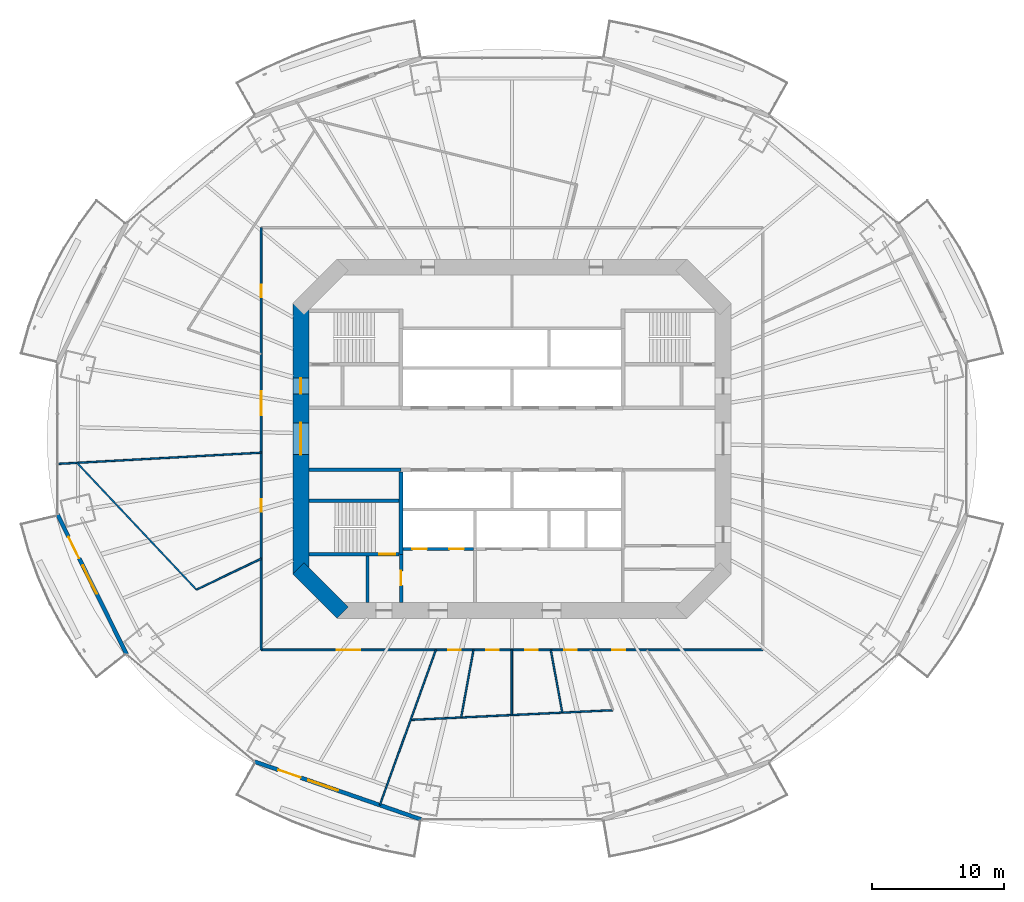
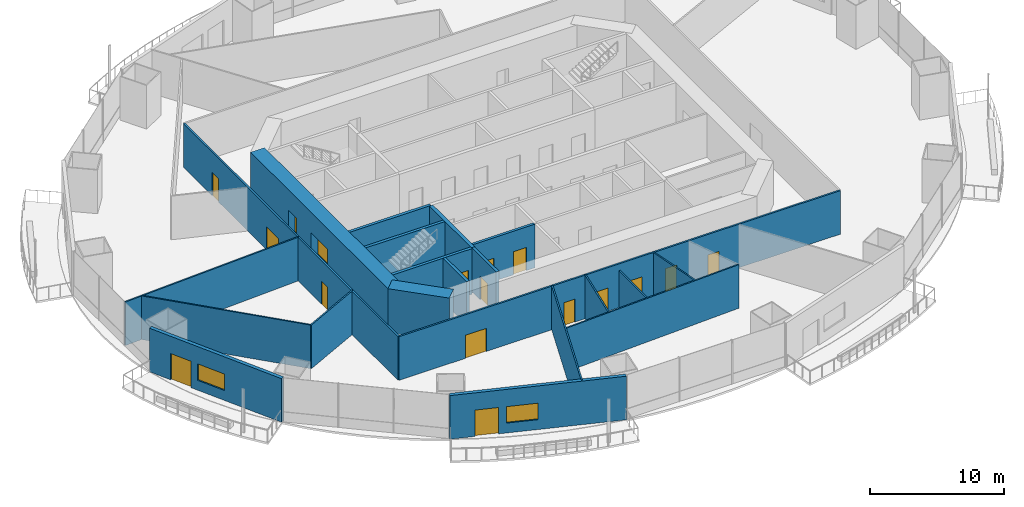
# One storey, part 13 of 22: 21 walls, 17 doors, 2 windows, 19 openings.
"""IFC4 building model written with IfcOpenShell, lengths in metres."""

import ifcopenshell
import ifcopenshell.guid

model = None  # the IFC model being written
_history = None  # IfcOwnerHistory: only IFC2X3 demands one
_inside = {}  # id of a spatial element -> (the spatial element, [elements in it])
_under = {}  # id of a project, library or spatial element -> (it, [spatial elements below it])
_declared = {}  # id of a project -> (the project, [libraries it declares])
_typed = {}  # id of a type object -> (the type object, [elements of that type])
_made_of = {}  # id of a material, layer set ... -> (it, [elements and type objects made of it])


def new_model(schema):
    """Start an empty IFC model of exactly this schema.

    Asked for "IFC4X3", IfcOpenShell would pick the latest addendum, in which some entities
    have other attributes; the version numbers below select the first issue.
    IFC2X3 requires an IfcOwnerHistory on every rooted entity: one is made here for all.
    """
    global model, _history
    if schema == "IFC4X3":
        model = ifcopenshell.file(schema_version=(4, 3, 0, 0))
    else:
        model = ifcopenshell.file(schema=schema)
    _inside.clear()
    _under.clear()
    _declared.clear()
    _typed.clear()
    _made_of.clear()
    _history = None
    if model.schema == "IFC2X3":
        org = make("IfcOrganization", Name="unknown")
        user = make(
            "IfcPersonAndOrganization",
            ThePerson=make("IfcPerson", FamilyName="unknown"),
            TheOrganization=org,
        )
        app = make(
            "IfcApplication",
            ApplicationDeveloper=org,
            Version="unknown",
            ApplicationFullName="unknown",
            ApplicationIdentifier="unknown",
        )
        _history = make(
            "IfcOwnerHistory",
            OwningUser=user,
            OwningApplication=app,
            ChangeAction="ADDED",
            CreationDate=0,
        )
    return model


def make(cls, **values):
    """One entity of the class cls with the attributes given. An attribute that is None is left unset."""
    return model.create_entity(
        cls, **{name: value for name, value in values.items() if value is not None}
    )


def rooted(cls, **values):
    """An entity with a GlobalId (a new one), such as an element, a storey or a relation."""
    return make(cls, GlobalId=ifcopenshell.guid.new(), OwnerHistory=_history, **values)


def si_unit(unit_type, name, prefix=None):
    """IfcSIUnit, for example si_unit("LENGTHUNIT", "METRE", prefix="MILLI")."""
    return make("IfcSIUnit", UnitType=unit_type, Prefix=prefix, Name=name)


def assignment(units):
    """IfcUnitAssignment: the units of a project."""
    return None if units is None else make("IfcUnitAssignment", Units=units)


def point(xyz):
    """IfcCartesianPoint."""
    return None if xyz is None else make("IfcCartesianPoint", Coordinates=xyz)


def direction(xyz):
    """IfcDirection."""
    return None if xyz is None else make("IfcDirection", DirectionRatios=xyz)


def frame(location, z_axis=None, x_axis=None):
    """IfcAxis2Placement3D, a coordinate frame: its origin and axes. An axis left out is left unset."""
    return make(
        "IfcAxis2Placement3D",
        Location=point(location),
        Axis=direction(z_axis),
        RefDirection=direction(x_axis),
    )


def frame_2d(location, x_axis=None):
    """IfcAxis2Placement2D, a coordinate frame in the plane: its origin and x axis."""
    return make(
        "IfcAxis2Placement2D", Location=point(location), RefDirection=direction(x_axis)
    )


def origin():
    """The frame at (0, 0, 0) with its axes left unset."""
    return frame((0.0, 0.0, 0.0))


def place(relative_to, where):
    """IfcLocalPlacement: puts the frame where relative to a parent placement (None: the world)."""
    return make(
        "IfcLocalPlacement", PlacementRelTo=relative_to, RelativePlacement=where
    )


def context(
    kind, dimensions, precision=None, world=None, true_north=None, identifier=None
):
    """IfcGeometricRepresentationContext, for example the 3D "Model" context."""
    return make(
        "IfcGeometricRepresentationContext",
        ContextIdentifier=identifier,
        ContextType=kind,
        CoordinateSpaceDimension=dimensions,
        Precision=precision,
        WorldCoordinateSystem=world,
        TrueNorth=true_north,
    )


def subcontext(parent, identifier, kind, view, scale=None):
    """IfcGeometricRepresentationSubContext, for example "Body" below "Model"."""
    return make(
        "IfcGeometricRepresentationSubContext",
        ContextIdentifier=identifier,
        ContextType=kind,
        ParentContext=parent,
        TargetScale=scale,
        TargetView=view,
    )


def project(units=None, contexts=None):
    """IfcProject with its units and contexts."""
    return rooted(
        "IfcProject",
        Name="project",
        RepresentationContexts=contexts,
        UnitsInContext=assignment(units),
    )


def spatial(cls, under=None, at=None, **own):
    """A site, building, storey or space (cls), placed at a placement, below another one or the project."""
    s = rooted(cls, ObjectPlacement=at, **own)
    if under is not None:
        _under.setdefault(under.id(), (under, []))[1].append(s)
    return s


def profile(cls, at=None, kind="AREA", **sizes):
    """A parametric profile (cls). Its sizes go by their IFC names, for example OverallWidth=200.0."""
    return make(cls, ProfileType=kind, Position=at, **sizes)


def rectangle(**sizes):
    """IfcRectangleProfileDef."""
    return profile("IfcRectangleProfileDef", **sizes)


def extrude(swept, where, along, depth):
    """IfcExtrudedAreaSolid: the profile swept, set in the frame where, extruded along a direction by depth."""
    return make(
        "IfcExtrudedAreaSolid",
        SweptArea=swept,
        Position=where,
        ExtrudedDirection=direction(along),
        Depth=depth,
    )


def shape(context_of_items, identifier, shape_type, items):
    """IfcShapeRepresentation: the items that make up one representation, for example the "Body"."""
    return make(
        "IfcShapeRepresentation",
        ContextOfItems=context_of_items,
        RepresentationIdentifier=identifier,
        RepresentationType=shape_type,
        Items=items,
    )


def material(Name=None, Category=None):
    """IfcMaterial."""
    return make("IfcMaterial", Name=Name, Category=Category)


def layer(
    of_material, thickness, ventilated=None, Name=None, Category=None, Priority=None
):
    """IfcMaterialLayer: one layer of a wall or slab, of a material (None: an air gap)."""
    return make(
        "IfcMaterialLayer",
        Material=of_material,
        LayerThickness=thickness,
        IsVentilated=ventilated,
        Name=Name,
        Category=Category,
        Priority=Priority,
    )


def layer_set(layers, Name=None):
    """IfcMaterialLayerSet."""
    return make("IfcMaterialLayerSet", MaterialLayers=layers, LayerSetName=Name)


def made_of(thing, what):
    """Note that an element or type object is made of a material, layer set ...; save() writes the relation."""
    if what is not None:
        _made_of.setdefault(what.id(), (what, []))[1].append(thing)
    return thing


def type_object(cls, material=None, **own):
    """A type object (cls), such as IfcWallType, which elements share."""
    return made_of(rooted(cls, **own), material)


def element(
    cls,
    number,
    at=None,
    inside=None,
    cuts=None,
    type_object=None,
    material=None,
    context=None,
    identifier="Body",
    shape_type=None,
    held_by="IfcProductDefinitionShape",
    body=None,
    shapes=None,
    **own,
):
    """One element of the class cls, such as IfcWall. Its Tag is "e" and its number.

    at: its placement. inside: the storey or other place that contains it. cuts: it is an
    opening in that element (IfcRelVoidsElement). A single representation is given by context,
    identifier, shape_type and body (its items); several are given by shapes. held_by: the class
    of the entity that holds the representations. save() writes the other relations.
    """
    e = rooted(cls, Tag="e%d" % number, ObjectPlacement=at, **own)
    if body is not None:
        shapes = [shape(context, identifier, shape_type, body)]
    if shapes is not None:
        e.Representation = make(held_by, Representations=shapes)
    if inside is not None:
        _inside.setdefault(inside.id(), (inside, []))[1].append(e)
    if cuts is not None:
        rooted(
            "IfcRelVoidsElement", RelatingBuildingElement=cuts, RelatedOpeningElement=e
        )
    if type_object is not None:
        _typed.setdefault(type_object.id(), (type_object, []))[1].append(e)
    return made_of(e, material)


def fill(opening, filler):
    """IfcRelFillsElement: the door or window that sits in an opening."""
    return rooted(
        "IfcRelFillsElement",
        RelatingOpeningElement=opening,
        RelatedBuildingElement=filler,
    )


def aggregate(whole, parts):
    """IfcRelAggregates: a whole, such as a stair, and the parts it consists of."""
    return rooted("IfcRelAggregates", RelatingObject=whole, RelatedObjects=parts)


def save(model, path):
    """Write the relations noted so far, then the file.

    IfcRelAggregates (storeys below a building ...), IfcRelContainedInSpatialStructure (elements
    in a storey), IfcRelDefinesByType, IfcRelAssociatesMaterial and IfcRelDeclares: one each for
    every whole, place, type object, material and project.
    """
    for whole, parts in _under.values():
        aggregate(whole, parts)
    for where, things in _inside.values():
        rooted(
            "IfcRelContainedInSpatialStructure",
            RelatedElements=things,
            RelatingStructure=where,
        )
    for kind, things in _typed.values():
        rooted("IfcRelDefinesByType", RelatedObjects=things, RelatingType=kind)
    for what, things in _made_of.values():
        rooted("IfcRelAssociatesMaterial", RelatedObjects=things, RelatingMaterial=what)
    for by, libraries in _declared.values():
        rooted("IfcRelDeclares", RelatingContext=by, RelatedDefinitions=libraries)
    model.write(path)


model = new_model("IFC4")

# Units and contexts
model_context = context("Model", 3, precision=1e-05, world=origin(), true_north=direction((0.0, 1.0)))
body_context = subcontext(model_context, "Body", "Model", "MODEL_VIEW")
ifc_project = project(units=[si_unit("LENGTHUNIT", "METRE"), si_unit("AREAUNIT", "SQUARE_METRE"), si_unit("VOLUMEUNIT", "CUBIC_METRE"), si_unit("PLANEANGLEUNIT", "RADIAN"), si_unit("MASSUNIT", "GRAM", prefix="KILO")], contexts=[model_context])

# Site, building, storey
site_placement = place(None, origin())
site = spatial("IfcSite", under=ifc_project, at=site_placement, CompositionType="ELEMENT")
building_placement = place(site_placement, origin())
building = spatial("IfcBuilding", under=site, at=building_placement, Name="Marenthal Gate Tower", CompositionType="ELEMENT")
storey_placement = place(building_placement, frame((0.0, 0.0, 91.10009765625)))
storey = spatial("IfcBuildingStorey", under=building, at=storey_placement, Name="L18", CompositionType="ELEMENT", Elevation=91.10009765625)

# Wall, openings, doors
ifc_material_1 = material(Name="Concrete 60 MPa", Category="concrete")
ifc_layer_1 = layer(ifc_material_1, 1.199951171875)
ifc_layer_set_1 = layer_set([ifc_layer_1], Name="Core shear wall 1200")
wall_type_1 = type_object("IfcWallType", Name="Core shear wall 1200", PredefinedType="SHEAR", material=ifc_layer_set_1)
wall_1_placement = place(storey_placement, frame((-16.0, 10.24853515625, -0.18017578125), z_axis=(0.0, 0.0, 1.0), x_axis=(0.0, -1.0, 0.0)))
wall_1 = element("IfcWall", 1, at=wall_1_placement, inside=storey, type_object=wall_type_1, Name="Core wall 06", PredefinedType="SHEAR", context=body_context, shape_type="SweptSolid", body=[
    extrude(rectangle(XDim=20.4970703125, YDim=1.199951171875, at=frame_2d((10.24853515625, 0.0))), origin(), (0.0, 0.0, 1.0), 4.150146484375),
])
opening_1_placement = place(wall_1_placement, frame((9.048583984375, 0.0, 0.179931640625)))
opening_1 = element("IfcOpeningElement", 2, at=opening_1_placement, cuts=wall_1, Name="Opening D003.01", PredefinedType="OPENING", context=body_context, shape_type="SweptSolid", body=[
    extrude(rectangle(XDim=2.39990234375, YDim=2.10009765625, at=frame_2d((1.199951171875, 1.050048828125))), frame((0.0, 0.60986328125, 0.0), z_axis=(0.0, -1.0, 0.0), x_axis=(1.0, 0.0, 0.0)), (0.0, 0.0, 1.0), 1.219970703125),
])
opening_2_placement = place(wall_1_placement, frame((5.6484375, 0.0, 0.179931640625)))
opening_2 = element("IfcOpeningElement", 3, at=opening_2_placement, cuts=wall_1, Name="Opening D001.04", PredefinedType="OPENING", context=body_context, shape_type="SweptSolid", body=[
    extrude(rectangle(XDim=1.199951171875, YDim=2.10009765625, at=frame_2d((0.60009765625, 1.050048828125))), frame((0.0, 0.60986328125, 0.0), z_axis=(0.0, -1.0, 0.0), x_axis=(1.0, 0.0, 0.0)), (0.0, 0.0, 1.0), 1.219970703125),
])
ifc_material_2 = material(Name="Steel fire door", Category="steel")
door_type_1 = type_object("IfcDoorType", Name="Double fire door FD 45 2400 x 2100", OperationType="DOUBLE_DOOR_SINGLE_SWING", PredefinedType="DOOR", material=ifc_material_2)
door_1_placement = place(opening_1_placement, origin())
door_1 = element("IfcDoor", 4, at=door_1_placement, inside=storey, type_object=door_type_1, Name="Door D003.01", OperationType="DOUBLE_DOOR_SINGLE_SWING", OverallHeight=2.10009765625, OverallWidth=2.39990234375, PredefinedType="DOOR", context=body_context, shape_type="SweptSolid", body=[
    extrude(rectangle(XDim=2.39990234375, YDim=2.10009765625, at=frame_2d((1.199951171875, 1.050048828125))), frame((0.0, 0.02490234375, 0.0), z_axis=(0.0, -1.0, 0.0), x_axis=(1.0, 0.0, 0.0)), (0.0, 0.0, 1.0), 0.050048828125),
])
fill(opening_1, door_1)
ifc_material_3 = material(Name="Steel fire door", Category="steel")
door_type_2 = type_object("IfcDoorType", Name="Fire door FD 90 1200 x 2100", OperationType="NOTDEFINED", PredefinedType="DOOR", material=ifc_material_3)
door_2_placement = place(opening_2_placement, origin())
door_2 = element("IfcDoor", 5, at=door_2_placement, inside=storey, type_object=door_type_2, Name="Door D001.04", OperationType="SINGLE_SWING_RIGHT", OverallHeight=2.10009765625, OverallWidth=1.199951171875, PredefinedType="DOOR", context=body_context, shape_type="SweptSolid", body=[
    extrude(rectangle(XDim=1.199951171875, YDim=2.10009765625, at=frame_2d((0.60009765625, 1.050048828125))), frame((0.0, 0.02490234375, 0.0), z_axis=(0.0, -1.0, 0.0), x_axis=(1.0, 0.0, 0.0)), (0.0, 0.0, 1.0), 0.050048828125),
])
fill(opening_2, door_2)

# Walls
wall_2_placement = place(storey_placement, frame((-16.17578125, -9.82421875, -0.18017578125), z_axis=(0.0, 0.0, 1.0), x_axis=(0.707106781187, -0.707106781187, 0.0)))
element("IfcWall", 6, at=wall_2_placement, inside=storey, type_object=wall_type_1, Name="Core wall 07", PredefinedType="SHEAR", context=body_context, shape_type="SweptSolid", body=[
    extrude(rectangle(XDim=4.73974609375, YDim=1.199951171875, at=frame_2d((2.369873046875, 0.0))), origin(), (0.0, 0.0, 1.0), 4.150146484375),
])
ifc_material_4 = material(Name="Concrete 50 MPa", Category="concrete")
ifc_layer_2 = layer(ifc_material_4, 0.300048828125)
ifc_layer_set_2 = layer_set([ifc_layer_2], Name="Hoistway shear wall 300")
wall_type_2 = type_object("IfcWallType", Name="Hoistway shear wall 300", PredefinedType="SHEAR", material=ifc_layer_set_2)
wall_3_placement = place(storey_placement, frame((-8.39990234375, -8.75, -0.18017578125), z_axis=(0.0, 0.0, 1.0), x_axis=(0.0, 1.0, 0.0)))
element("IfcWall", 7, at=wall_3_placement, inside=storey, type_object=wall_type_2, Name="Hoistway wall 31", PredefinedType="SHEAR", context=body_context, shape_type="SweptSolid", body=[
    extrude(rectangle(XDim=6.25, YDim=0.300048828125, at=frame_2d((3.125, 0.0))), origin(), (0.0, 0.0, 1.0), 4.150146484375),
])

# Wall, openings, doors
ifc_material_5 = material(Name="Concrete 40 MPa", Category="concrete")
ifc_layer_3 = layer(ifc_material_5, 0.219970703125)
ifc_layer_set_3 = layer_set([ifc_layer_3], Name="Hoistway wall 220")
wall_type_3 = type_object("IfcWallType", Name="Hoistway wall 220", PredefinedType="STANDARD", material=ifc_layer_set_3)
wall_4_placement = place(storey_placement, frame((-8.25, -8.35009765625, 0.0), z_axis=(0.0, 0.0, 1.0), x_axis=(1.0, 0.0, 0.0)))
wall_4 = element("IfcWall", 8, at=wall_4_placement, inside=storey, type_object=wall_type_3, Name="Hoistway wall 11", PredefinedType="STANDARD", context=body_context, shape_type="SweptSolid", body=[
    extrude(rectangle(XDim=5.340087890625, YDim=0.219970703125, at=frame_2d((2.669921875, 0.0))), origin(), (0.0, 0.0, 1.0), 3.969970703125),
])
opening_3_placement = place(wall_4_placement, frame((0.699951171875, 0.0, 0.0)))
opening_3 = element("IfcOpeningElement", 9, at=opening_3_placement, cuts=wall_4, Name="Opening LD-LF1", PredefinedType="OPENING", context=body_context, shape_type="SweptSolid", body=[
    extrude(rectangle(XDim=1.10009765625, YDim=2.10009765625, at=frame_2d((0.550048828125, 1.050048828125))), frame((0.0, 0.1201171875, 0.0), z_axis=(0.0, -1.0, 0.0), x_axis=(1.0, 0.0, 0.0)), (0.0, 0.0, 1.0), 0.239990234375),
])
opening_4_placement = place(wall_4_placement, frame((3.5, 0.0, 0.0)))
opening_4 = element("IfcOpeningElement", 10, at=opening_4_placement, cuts=wall_4, Name="Opening LD-LF2", PredefinedType="OPENING", context=body_context, shape_type="SweptSolid", body=[
    extrude(rectangle(XDim=1.10009765625, YDim=2.10009765625, at=frame_2d((0.550048828125, 1.050048828125))), frame((0.0, 0.1201171875, 0.0), z_axis=(0.0, -1.0, 0.0), x_axis=(1.0, 0.0, 0.0)), (0.0, 0.0, 1.0), 0.239990234375),
])
ifc_material_6 = material(Name="Stainless steel sliding door", Category="steel")
door_type_3 = type_object("IfcDoorType", Name="Lift landing door FD 90 1100 x 2100", OperationType="DOUBLE_DOOR_SLIDING", PredefinedType="DOOR", material=ifc_material_6)
door_3_placement = place(opening_3_placement, origin())
door_3 = element("IfcDoor", 11, at=door_3_placement, inside=storey, type_object=door_type_3, Name="Lift landing door LF1", OperationType="DOUBLE_DOOR_SLIDING", OverallHeight=2.10009765625, OverallWidth=1.10009765625, PredefinedType="DOOR", context=body_context, shape_type="SweptSolid", body=[
    extrude(rectangle(XDim=1.10009765625, YDim=2.10009765625, at=frame_2d((0.550048828125, 1.050048828125))), frame((0.0, 0.02490234375, 0.0), z_axis=(0.0, -1.0, 0.0), x_axis=(1.0, 0.0, 0.0)), (0.0, 0.0, 1.0), 0.050048828125),
])
fill(opening_3, door_3)
door_4_placement = place(opening_4_placement, origin())
door_4 = element("IfcDoor", 12, at=door_4_placement, inside=storey, type_object=door_type_3, Name="Lift landing door LF2", OperationType="DOUBLE_DOOR_SLIDING", OverallHeight=2.10009765625, OverallWidth=1.10009765625, PredefinedType="DOOR", context=body_context, shape_type="SweptSolid", body=[
    extrude(rectangle(XDim=1.10009765625, YDim=2.10009765625, at=frame_2d((0.550048828125, 1.050048828125))), frame((0.0, 0.02490234375, 0.0), z_axis=(0.0, -1.0, 0.0), x_axis=(1.0, 0.0, 0.0)), (0.0, 0.0, 1.0), 0.050048828125),
])
fill(opening_4, door_4)

# Walls
ifc_material_7 = material(Name="Gypsum board on steel studs", Category="steel")
ifc_layer_4 = layer(ifc_material_7, 0.1201171875)
ifc_layer_set_4 = layer_set([ifc_layer_4], Name="Partition 120")
wall_type_4 = type_object("IfcWallType", Name="Partition 120", PredefinedType="PARTITIONING", material=ifc_layer_set_4)
wall_5_placement = place(storey_placement, frame((-32.956787109375, -1.8212890625, 0.0), z_axis=(0.0, 0.0, 1.0), x_axis=(0.685404519596, -0.728162512436, 0.0)))
element("IfcWall", 13, at=wall_5_placement, inside=storey, type_object=wall_type_4, Name="Partition wall 47", PredefinedType="PARTITIONING", context=body_context, shape_type="SweptSolid", body=[
    extrude(rectangle(XDim=13.1953125, YDim=0.1201171875, at=frame_2d((6.59765625, 0.0))), origin(), (0.0, 0.0, 1.0), 3.969970703125),
])
wall_6_placement = place(storey_placement, frame((-23.91259765625, -11.4296875, 0.0), z_axis=(0.0, 0.0, 1.0), x_axis=(0.902248770513, 0.431215904285, 0.0)))
element("IfcWall", 14, at=wall_6_placement, inside=storey, type_object=wall_type_4, Name="Partition wall 49", PredefinedType="PARTITIONING", context=body_context, shape_type="SweptSolid", body=[
    extrude(rectangle(XDim=5.44482421875, YDim=0.1201171875, at=frame_2d((2.722412109375, 0.0))), origin(), (0.0, 0.0, 1.0), 3.969970703125),
])
wall_7_placement = place(storey_placement, frame((-19.0, -1.050048828125, 0.0), z_axis=(0.0, 0.0, 1.0), x_axis=(-0.998476588054, -0.055177016127, 0.0)))
element("IfcWall", 15, at=wall_7_placement, inside=storey, type_object=wall_type_4, Name="Partition wall 51", PredefinedType="PARTITIONING", context=body_context, shape_type="SweptSolid", body=[
    extrude(rectangle(XDim=15.459716796875, YDim=0.1201171875, at=frame_2d((7.72998046875, 0.0))), origin(), (0.0, 0.0, 1.0), 3.969970703125),
])
wall_8_placement = place(storey_placement, frame((-7.68408203125, -21.299072265625, 0.0), z_axis=(0.0, 0.0, 1.0), x_axis=(0.998854128079, 0.04785844564, 0.0)))
element("IfcWall", 16, at=wall_8_placement, inside=storey, type_object=wall_type_4, Name="Partition wall 55", PredefinedType="PARTITIONING", context=body_context, shape_type="SweptSolid", body=[
    extrude(rectangle(XDim=15.3447265625, YDim=0.1201171875, at=frame_2d((7.67236328125, 0.0))), origin(), (0.0, 0.0, 1.0), 3.969970703125),
])
wall_9_placement = place(storey_placement, frame((-5.7724609375, -16.0, 0.0), z_axis=(0.0, 0.0, 1.0), x_axis=(-0.339354475961, -0.940658566987, 0.0)))
element("IfcWall", 17, at=wall_9_placement, inside=storey, type_object=wall_type_4, Name="Partition wall 56", PredefinedType="PARTITIONING", context=body_context, shape_type="SweptSolid", body=[
    extrude(rectangle(XDim=12.496337890625, YDim=0.1201171875, at=frame_2d((6.248046875, 0.0))), origin(), (0.0, 0.0, 1.0), 3.969970703125),
])
wall_10_placement = place(storey_placement, frame((-3.852294921875, -21.115478515625, 0.0), z_axis=(0.0, 0.0, 1.0), x_axis=(0.179447320467, 0.983767583923, 0.0)))
element("IfcWall", 18, at=wall_10_placement, inside=storey, type_object=wall_type_4, Name="Partition wall 57", PredefinedType="PARTITIONING", context=body_context, shape_type="SweptSolid", body=[
    extrude(rectangle(XDim=5.199951171875, YDim=0.1201171875, at=frame_2d((2.60009765625, 0.0))), origin(), (0.0, 0.0, 1.0), 3.969970703125),
])
wall_11_placement = place(storey_placement, frame((-0.0205078125, -20.931884765625, 0.0), z_axis=(0.0, 0.0, 1.0), x_axis=(0.000940547082, 0.999999557685, 0.0)))
element("IfcWall", 19, at=wall_11_placement, inside=storey, type_object=wall_type_4, Name="Partition wall 58", PredefinedType="PARTITIONING", context=body_context, shape_type="SweptSolid", body=[
    extrude(rectangle(XDim=4.931884765625, YDim=0.1201171875, at=frame_2d((2.4658203125, 0.0))), origin(), (0.0, 0.0, 1.0), 3.35791015625),
])
wall_12_placement = place(storey_placement, frame((3.811279296875, -20.748291015625, 0.0), z_axis=(0.0, 0.0, 1.0), x_axis=(-0.180687461344, 0.983540564142, 0.0)))
element("IfcWall", 20, at=wall_12_placement, inside=storey, type_object=wall_type_4, Name="Partition wall 59", PredefinedType="PARTITIONING", context=body_context, shape_type="SweptSolid", body=[
    extrude(rectangle(XDim=4.82763671875, YDim=0.1201171875, at=frame_2d((2.413818359375, 0.0))), origin(), (0.0, 0.0, 1.0), 3.969970703125),
])

# Wall, openings, doors
ifc_material_8 = material(Name="Gypsum board on steel studs", Category="steel")
ifc_layer_5 = layer(ifc_material_8, 0.14990234375)
ifc_layer_set_5 = layer_set([ifc_layer_5], Name="Partition 150")
wall_type_5 = type_object("IfcWallType", Name="Partition 150", PredefinedType="PARTITIONING", material=ifc_layer_set_5)
wall_13_placement = place(storey_placement, frame((-19.0, -16.0, 0.0), z_axis=(0.0, 0.0, 1.0), x_axis=(0.0, 1.0, 0.0)))
wall_13 = element("IfcWall", 21, at=wall_13_placement, inside=storey, type_object=wall_type_5, Name="Partition wall 50", PredefinedType="PARTITIONING", context=body_context, shape_type="SweptSolid", body=[
    extrude(rectangle(XDim=32.0, YDim=0.14990234375, at=frame_2d((16.0, 0.0))), origin(), (0.0, 0.0, 1.0), 3.969970703125),
])
opening_5_placement = place(wall_13_placement, frame((26.735107421875, 0.0, 0.0)))
opening_5 = element("IfcOpeningElement", 22, at=opening_5_placement, cuts=wall_13, Name="Opening D016.02", PredefinedType="OPENING", context=body_context, shape_type="SweptSolid", body=[
    extrude(rectangle(XDim=0.949951171875, YDim=2.10009765625, at=frame_2d((0.47509765625, 1.050048828125))), frame((0.0, 0.0849609375, 0.0), z_axis=(0.0, -1.0, 0.0), x_axis=(1.0, 0.0, 0.0)), (0.0, 0.0, 1.0), 0.169921875),
])
opening_6_placement = place(wall_13_placement, frame((17.784912109375, 0.0, 0.0)))
opening_6 = element("IfcOpeningElement", 23, at=opening_6_placement, cuts=wall_13, Name="Opening D014.02", PredefinedType="OPENING", context=body_context, shape_type="SweptSolid", body=[
    extrude(rectangle(XDim=1.800048828125, YDim=2.10009765625, at=frame_2d((0.89990234375, 1.050048828125))), frame((0.0, 0.0849609375, 0.0), z_axis=(0.0, -1.0, 0.0), x_axis=(1.0, 0.0, 0.0)), (0.0, 0.0, 1.0), 0.169921875),
])
opening_7_placement = place(wall_13_placement, frame((10.458984375, 0.0, 0.0)))
opening_7 = element("IfcOpeningElement", 24, at=opening_7_placement, cuts=wall_13, Name="Opening D016.03", PredefinedType="OPENING", context=body_context, shape_type="SweptSolid", body=[
    extrude(rectangle(XDim=0.949951171875, YDim=2.10009765625, at=frame_2d((0.47509765625, 1.050048828125))), frame((0.0, 0.0849609375, 0.0), z_axis=(0.0, -1.0, 0.0), x_axis=(1.0, 0.0, 0.0)), (0.0, 0.0, 1.0), 0.169921875),
])
ifc_material_9 = material(Name="Timber door", Category="wood")
door_type_4 = type_object("IfcDoorType", Name="Door 950 x 2100", OperationType="NOTDEFINED", PredefinedType="DOOR", material=ifc_material_9)
door_5_placement = place(opening_5_placement, origin())
door_5 = element("IfcDoor", 25, at=door_5_placement, inside=storey, type_object=door_type_4, Name="Door D016.02", OperationType="SINGLE_SWING_RIGHT", OverallHeight=2.10009765625, OverallWidth=0.949951171875, PredefinedType="DOOR", context=body_context, shape_type="SweptSolid", body=[
    extrude(rectangle(XDim=0.949951171875, YDim=2.10009765625, at=frame_2d((0.47509765625, 1.050048828125))), frame((0.0, 0.02490234375, 0.0), z_axis=(0.0, -1.0, 0.0), x_axis=(1.0, 0.0, 0.0)), (0.0, 0.0, 1.0), 0.050048828125),
])
fill(opening_5, door_5)
door_6_placement = place(opening_7_placement, origin())
door_6 = element("IfcDoor", 26, at=door_6_placement, inside=storey, type_object=door_type_4, Name="Door D016.03", OperationType="SINGLE_SWING_RIGHT", OverallHeight=2.10009765625, OverallWidth=0.949951171875, PredefinedType="DOOR", context=body_context, shape_type="SweptSolid", body=[
    extrude(rectangle(XDim=0.949951171875, YDim=2.10009765625, at=frame_2d((0.47509765625, 1.050048828125))), frame((0.0, 0.02490234375, 0.0), z_axis=(0.0, -1.0, 0.0), x_axis=(1.0, 0.0, 0.0)), (0.0, 0.0, 1.0), 0.050048828125),
])
fill(opening_7, door_6)
ifc_material_10 = material(Name="Timber door", Category="wood")
door_type_5 = type_object("IfcDoorType", Name="Double door 1800 x 2100", OperationType="DOUBLE_DOOR_SINGLE_SWING", PredefinedType="DOOR", material=ifc_material_10)
door_7_placement = place(opening_6_placement, origin())
door_7 = element("IfcDoor", 27, at=door_7_placement, inside=storey, type_object=door_type_5, Name="Door D014.02", OperationType="DOUBLE_DOOR_SINGLE_SWING", OverallHeight=2.10009765625, OverallWidth=1.800048828125, PredefinedType="DOOR", context=body_context, shape_type="SweptSolid", body=[
    extrude(rectangle(XDim=1.800048828125, YDim=2.10009765625, at=frame_2d((0.89990234375, 1.050048828125))), frame((0.0, 0.02490234375, 0.0), z_axis=(0.0, -1.0, 0.0), x_axis=(1.0, 0.0, 0.0)), (0.0, 0.0, 1.0), 0.050048828125),
])
fill(opening_6, door_7)

wall_14_placement = place(storey_placement, frame((19.0, -16.0, 0.0), z_axis=(0.0, 0.0, 1.0), x_axis=(-1.0, 0.0, 0.0)))
wall_14 = element("IfcWall", 28, at=wall_14_placement, inside=storey, type_object=wall_type_5, Name="Partition wall 64", PredefinedType="PARTITIONING", context=body_context, shape_type="SweptSolid", body=[
    extrude(rectangle(XDim=38.0, YDim=0.14990234375, at=frame_2d((19.0, 0.0))), origin(), (0.0, 0.0, 1.0), 3.969970703125),
])
opening_8_placement = place(wall_14_placement, frame((30.486083984375, 0.0, 0.0)))
opening_8 = element("IfcOpeningElement", 29, at=opening_8_placement, cuts=wall_14, Name="Opening D014.03", PredefinedType="OPENING", context=body_context, shape_type="SweptSolid", body=[
    extrude(rectangle(XDim=1.800048828125, YDim=2.10009765625, at=frame_2d((0.89990234375, 1.050048828125))), frame((0.0, 0.0849609375, 0.0), z_axis=(0.0, -1.0, 0.0), x_axis=(1.0, 0.0, 0.0)), (0.0, 0.0, 1.0), 0.169921875),
])
opening_9_placement = place(wall_14_placement, frame((22.8701171875, 0.0, 0.0)))
opening_9 = element("IfcOpeningElement", 30, at=opening_9_placement, cuts=wall_14, Name="Opening D016.04", PredefinedType="OPENING", context=body_context, shape_type="SweptSolid", body=[
    extrude(rectangle(XDim=0.949951171875, YDim=2.10009765625, at=frame_2d((0.47509765625, 1.050048828125))), frame((0.0, 0.0849609375, 0.0), z_axis=(0.0, -1.0, 0.0), x_axis=(1.0, 0.0, 0.0)), (0.0, 0.0, 1.0), 0.169921875),
])
opening_10_placement = place(wall_14_placement, frame((19.991943359375, 0.0, 0.0)))
opening_10 = element("IfcOpeningElement", 31, at=opening_10_placement, cuts=wall_14, Name="Opening D016.05", PredefinedType="OPENING", context=body_context, shape_type="SweptSolid", body=[
    extrude(rectangle(XDim=0.949951171875, YDim=2.10009765625, at=frame_2d((0.47509765625, 1.050048828125))), frame((0.0, 0.0849609375, 0.0), z_axis=(0.0, -1.0, 0.0), x_axis=(1.0, 0.0, 0.0)), (0.0, 0.0, 1.0), 0.169921875),
])
opening_11_placement = place(wall_14_placement, frame((17.06298828125, 0.0, 0.0)))
opening_11 = element("IfcOpeningElement", 32, at=opening_11_placement, cuts=wall_14, Name="Opening D016.06", PredefinedType="OPENING", context=body_context, shape_type="SweptSolid", body=[
    extrude(rectangle(XDim=0.949951171875, YDim=2.10009765625, at=frame_2d((0.47509765625, 1.050048828125))), frame((0.0, 0.0849609375, 0.0), z_axis=(0.0, -1.0, 0.0), x_axis=(1.0, 0.0, 0.0)), (0.0, 0.0, 1.0), 0.169921875),
])
opening_12_placement = place(wall_14_placement, frame((14.08203125, 0.0, 0.0)))
opening_12 = element("IfcOpeningElement", 33, at=opening_12_placement, cuts=wall_14, Name="Opening D016.07", PredefinedType="OPENING", context=body_context, shape_type="SweptSolid", body=[
    extrude(rectangle(XDim=0.949951171875, YDim=2.10009765625, at=frame_2d((0.47509765625, 1.050048828125))), frame((0.0, 0.0849609375, 0.0), z_axis=(0.0, -1.0, 0.0), x_axis=(1.0, 0.0, 0.0)), (0.0, 0.0, 1.0), 0.169921875),
])
opening_13_placement = place(wall_14_placement, frame((10.43701171875, 0.0, 0.0)))
opening_13 = element("IfcOpeningElement", 34, at=opening_13_placement, cuts=wall_14, Name="Opening D016.08", PredefinedType="OPENING", context=body_context, shape_type="SweptSolid", body=[
    extrude(rectangle(XDim=0.949951171875, YDim=2.10009765625, at=frame_2d((0.47509765625, 1.050048828125))), frame((0.0, 0.0849609375, 0.0), z_axis=(0.0, -1.0, 0.0), x_axis=(1.0, 0.0, 0.0)), (0.0, 0.0, 1.0), 0.169921875),
])
door_8_placement = place(opening_9_placement, origin())
door_8 = element("IfcDoor", 35, at=door_8_placement, inside=storey, type_object=door_type_4, Name="Door D016.04", OperationType="SINGLE_SWING_RIGHT", OverallHeight=2.10009765625, OverallWidth=0.949951171875, PredefinedType="DOOR", context=body_context, shape_type="SweptSolid", body=[
    extrude(rectangle(XDim=0.949951171875, YDim=2.10009765625, at=frame_2d((0.47509765625, 1.050048828125))), frame((0.0, 0.02490234375, 0.0), z_axis=(0.0, -1.0, 0.0), x_axis=(1.0, 0.0, 0.0)), (0.0, 0.0, 1.0), 0.050048828125),
])
fill(opening_9, door_8)
door_9_placement = place(opening_10_placement, origin())
door_9 = element("IfcDoor", 36, at=door_9_placement, inside=storey, type_object=door_type_4, Name="Door D016.05", OperationType="SINGLE_SWING_RIGHT", OverallHeight=2.10009765625, OverallWidth=0.949951171875, PredefinedType="DOOR", context=body_context, shape_type="SweptSolid", body=[
    extrude(rectangle(XDim=0.949951171875, YDim=2.10009765625, at=frame_2d((0.47509765625, 1.050048828125))), frame((0.0, 0.02490234375, 0.0), z_axis=(0.0, -1.0, 0.0), x_axis=(1.0, 0.0, 0.0)), (0.0, 0.0, 1.0), 0.050048828125),
])
fill(opening_10, door_9)
door_10_placement = place(opening_11_placement, origin())
door_10 = element("IfcDoor", 37, at=door_10_placement, inside=storey, type_object=door_type_4, Name="Door D016.06", OperationType="SINGLE_SWING_RIGHT", OverallHeight=2.10009765625, OverallWidth=0.949951171875, PredefinedType="DOOR", context=body_context, shape_type="SweptSolid", body=[
    extrude(rectangle(XDim=0.949951171875, YDim=2.10009765625, at=frame_2d((0.47509765625, 1.050048828125))), frame((0.0, 0.02490234375, 0.0), z_axis=(0.0, -1.0, 0.0), x_axis=(1.0, 0.0, 0.0)), (0.0, 0.0, 1.0), 0.050048828125),
])
fill(opening_11, door_10)
door_11_placement = place(opening_12_placement, origin())
door_11 = element("IfcDoor", 38, at=door_11_placement, inside=storey, type_object=door_type_4, Name="Door D016.07", OperationType="SINGLE_SWING_RIGHT", OverallHeight=2.10009765625, OverallWidth=0.949951171875, PredefinedType="DOOR", context=body_context, shape_type="SweptSolid", body=[
    extrude(rectangle(XDim=0.949951171875, YDim=2.10009765625, at=frame_2d((0.47509765625, 1.050048828125))), frame((0.0, 0.02490234375, 0.0), z_axis=(0.0, -1.0, 0.0), x_axis=(1.0, 0.0, 0.0)), (0.0, 0.0, 1.0), 0.050048828125),
])
fill(opening_12, door_11)
door_12_placement = place(opening_13_placement, origin())
door_12 = element("IfcDoor", 39, at=door_12_placement, inside=storey, type_object=door_type_4, Name="Door D016.08", OperationType="SINGLE_SWING_RIGHT", OverallHeight=2.10009765625, OverallWidth=0.949951171875, PredefinedType="DOOR", context=body_context, shape_type="SweptSolid", body=[
    extrude(rectangle(XDim=0.949951171875, YDim=2.10009765625, at=frame_2d((0.47509765625, 1.050048828125))), frame((0.0, 0.02490234375, 0.0), z_axis=(0.0, -1.0, 0.0), x_axis=(1.0, 0.0, 0.0)), (0.0, 0.0, 1.0), 0.050048828125),
])
fill(opening_13, door_12)
door_13_placement = place(opening_8_placement, origin())
door_13 = element("IfcDoor", 40, at=door_13_placement, inside=storey, type_object=door_type_5, Name="Door D014.03", OperationType="DOUBLE_DOOR_SINGLE_SWING", OverallHeight=2.10009765625, OverallWidth=1.800048828125, PredefinedType="DOOR", context=body_context, shape_type="SweptSolid", body=[
    extrude(rectangle(XDim=1.800048828125, YDim=2.10009765625, at=frame_2d((0.89990234375, 1.050048828125))), frame((0.0, 0.02490234375, 0.0), z_axis=(0.0, -1.0, 0.0), x_axis=(1.0, 0.0, 0.0)), (0.0, 0.0, 1.0), 0.050048828125),
])
fill(opening_8, door_13)

# Walls
ifc_material_11 = material(Name="Concrete 40 MPa", Category="concrete")
ifc_layer_6 = layer(ifc_material_11, 0.25)
ifc_layer_set_6 = layer_set([ifc_layer_6], Name="Stair enclosure wall 250")
wall_type_6 = type_object("IfcWallType", Name="Stair enclosure wall 250", PredefinedType="STANDARD", material=ifc_layer_set_6)
wall_15_placement = place(storey_placement, frame((-15.39990234375, -2.35009765625, 0.0), z_axis=(0.0, 0.0, 1.0), x_axis=(1.0, 0.0, 0.0)))
element("IfcWall", 41, at=wall_15_placement, inside=storey, type_object=wall_type_6, Name="Stair wall 16", PredefinedType="STANDARD", context=body_context, shape_type="SweptSolid", body=[
    extrude(rectangle(XDim=7.0, YDim=0.25, at=frame_2d((3.5, 0.0))), origin(), (0.0, 0.0, 1.0), 3.969970703125),
])
wall_16_placement = place(storey_placement, frame((-10.949951171875, -12.39990234375, 0.0), z_axis=(0.0, 0.0, 1.0), x_axis=(0.0, 1.0, 0.0)))
element("IfcWall", 42, at=wall_16_placement, inside=storey, type_object=wall_type_6, Name="Stair wall 29", PredefinedType="STANDARD", context=body_context, shape_type="SweptSolid", body=[
    extrude(rectangle(XDim=3.52490234375, YDim=0.25, at=frame_2d((1.762451171875, 0.0))), origin(), (0.0, 0.0, 1.0), 3.969970703125),
])

# Wall, opening, door
wall_17_placement = place(storey_placement, frame((-8.39990234375, -12.39990234375, 0.0), z_axis=(0.0, 0.0, 1.0), x_axis=(0.0, 1.0, 0.0)))
wall_17 = element("IfcWall", 43, at=wall_17_placement, inside=storey, type_object=wall_type_6, Name="Stair wall 30", PredefinedType="STANDARD", context=body_context, shape_type="SweptSolid", body=[
    extrude(rectangle(XDim=3.64990234375, YDim=0.25, at=frame_2d((1.824951171875, 0.0))), origin(), (0.0, 0.0, 1.0), 3.969970703125),
])
opening_14_placement = place(wall_17_placement, frame((1.300048828125, 0.0, 0.0)))
opening_14 = element("IfcOpeningElement", 44, at=opening_14_placement, cuts=wall_17, Name="Opening D002.01", PredefinedType="OPENING", context=body_context, shape_type="SweptSolid", body=[
    extrude(rectangle(XDim=1.10009765625, YDim=2.10009765625, at=frame_2d((0.550048828125, 1.050048828125))), frame((0.0, 0.135009765625, 0.0), z_axis=(0.0, -1.0, 0.0), x_axis=(1.0, 0.0, 0.0)), (0.0, 0.0, 1.0), 0.27001953125),
])
ifc_material_12 = material(Name="Steel fire door", Category="steel")
door_type_6 = type_object("IfcDoorType", Name="Fire door FD 90 1100 x 2100", OperationType="NOTDEFINED", PredefinedType="DOOR", material=ifc_material_12)
door_14_placement = place(opening_14_placement, origin())
door_14 = element("IfcDoor", 45, at=door_14_placement, inside=storey, type_object=door_type_6, Name="Door D002.01", OperationType="SINGLE_SWING_RIGHT", OverallHeight=2.10009765625, OverallWidth=1.10009765625, PredefinedType="DOOR", context=body_context, shape_type="SweptSolid", body=[
    extrude(rectangle(XDim=1.10009765625, YDim=2.10009765625, at=frame_2d((0.550048828125, 1.050048828125))), frame((0.0, 0.02490234375, 0.0), z_axis=(0.0, -1.0, 0.0), x_axis=(1.0, 0.0, 0.0)), (0.0, 0.0, 1.0), 0.050048828125),
])
fill(opening_14, door_14)

ifc_material_13 = material(Name="Concrete 50 MPa", Category="concrete")
ifc_layer_7 = layer(ifc_material_13, 0.25)
ifc_layer_set_7 = layer_set([ifc_layer_7], Name="Stair shear wall 250")
wall_type_7 = type_object("IfcWallType", Name="Stair shear wall 250", PredefinedType="SHEAR", material=ifc_layer_set_7)
wall_18_placement = place(storey_placement, frame((-15.39990234375, -8.75, -0.18017578125), z_axis=(0.0, 0.0, 1.0), x_axis=(1.0, 0.0, 0.0)))
wall_18 = element("IfcWall", 46, at=wall_18_placement, inside=storey, type_object=wall_type_7, Name="Stair wall 10", PredefinedType="SHEAR", context=body_context, shape_type="SweptSolid", body=[
    extrude(rectangle(XDim=6.849853515625, YDim=0.25, at=frame_2d((3.4248046875, 0.0))), origin(), (0.0, 0.0, 1.0), 4.150146484375),
])
opening_15_placement = place(wall_18_placement, frame((5.35009765625, 0.0, 0.179931640625)))
opening_15 = element("IfcOpeningElement", 47, at=opening_15_placement, cuts=wall_18, Name="Opening D001.03", PredefinedType="OPENING", context=body_context, shape_type="SweptSolid", body=[
    extrude(rectangle(XDim=1.199951171875, YDim=2.10009765625, at=frame_2d((0.60009765625, 1.050048828125))), frame((0.0, 0.135009765625, 0.0), z_axis=(0.0, -1.0, 0.0), x_axis=(1.0, 0.0, 0.0)), (0.0, 0.0, 1.0), 0.27001953125),
])
door_15_placement = place(opening_15_placement, origin())
door_15 = element("IfcDoor", 48, at=door_15_placement, inside=storey, type_object=door_type_2, Name="Door D001.03", OperationType="SINGLE_SWING_RIGHT", OverallHeight=2.10009765625, OverallWidth=1.199951171875, PredefinedType="DOOR", context=body_context, shape_type="SweptSolid", body=[
    extrude(rectangle(XDim=1.199951171875, YDim=2.10009765625, at=frame_2d((0.60009765625, 1.050048828125))), frame((0.0, 0.02490234375, 0.0), z_axis=(0.0, -1.0, 0.0), x_axis=(1.0, 0.0, 0.0)), (0.0, 0.0, 1.0), 0.050048828125),
])
fill(opening_15, door_15)

# Wall
wall_19_placement = place(storey_placement, frame((-15.39990234375, -4.699951171875, -0.18017578125), z_axis=(0.0, 0.0, 1.0), x_axis=(1.0, 0.0, 0.0)))
element("IfcWall", 49, at=wall_19_placement, inside=storey, type_object=wall_type_7, Name="Stair wall 15", PredefinedType="SHEAR", context=body_context, shape_type="SweptSolid", body=[
    extrude(rectangle(XDim=6.849853515625, YDim=0.25, at=frame_2d((3.4248046875, 0.0))), origin(), (0.0, 0.0, 1.0), 4.150146484375),
])

# Wall, openings, door, window
ifc_material_14 = material(Name="Terracotta cladding on insulated concrete-block backing", Category="masonry")
ifc_layer_8 = layer(ifc_material_14, 0.300048828125)
ifc_layer_set_8 = layer_set([ifc_layer_8], Name="Terracotta facade wall 300")
wall_type_8 = type_object("IfcWallType", Name="Terracotta facade wall 300", PredefinedType="SOLIDWALL", material=ifc_layer_set_8)
wall_20_placement = place(storey_placement, frame((-34.436279296875, -5.7392578125, 0.0), z_axis=(0.0, 0.0, 1.0), x_axis=(0.443180520711, -0.896432387892, 0.0)))
wall_20 = element("IfcWall", 50, at=wall_20_placement, inside=storey, type_object=wall_type_8, Name="Terracotta facade wall L18 bay 9", PredefinedType="SOLIDWALL", context=body_context, shape_type="SweptSolid", body=[
    extrude(rectangle(XDim=11.82958984375, YDim=0.300048828125, at=frame_2d((5.914794921875, 0.0))), origin(), (0.0, 0.0, 1.0), 3.969970703125),
])
opening_16_placement = place(wall_20_placement, frame((1.89990234375, 0.0, 0.0)))
opening_16 = element("IfcOpeningElement", 51, at=opening_16_placement, cuts=wall_20, Name="Opening BD-L18-09", PredefinedType="OPENING", context=body_context, shape_type="SweptSolid", body=[
    extrude(rectangle(XDim=1.800048828125, YDim=2.39990234375, at=frame_2d((0.89990234375, 1.199951171875))), frame((0.0, 0.16015625, 0.0), z_axis=(0.0, -1.0, 0.0), x_axis=(1.0, 0.0, 0.0)), (0.0, 0.0, 1.0), 0.320068359375),
])
opening_17_placement = place(wall_20_placement, frame((4.300048828125, 0.0, 0.89990234375)))
opening_17 = element("IfcOpeningElement", 52, at=opening_17_placement, cuts=wall_20, Name="Opening WN1-L18-09", PredefinedType="OPENING", context=body_context, shape_type="SweptSolid", body=[
    extrude(rectangle(XDim=2.39990234375, YDim=1.5, at=frame_2d((1.199951171875, 0.75))), frame((0.0, 0.16015625, 0.0), z_axis=(0.0, -1.0, 0.0), x_axis=(1.0, 0.0, 0.0)), (0.0, 0.0, 1.0), 0.320068359375),
])
ifc_material_15 = material(Name="Aluminium and glass", Category="aluminium")
door_type_7 = type_object("IfcDoorType", Name="Balcony door 1800x2400", OperationType="DOUBLE_DOOR_SINGLE_SWING", PredefinedType="DOOR", material=ifc_material_15)
door_16_placement = place(opening_16_placement, origin())
door_16 = element("IfcDoor", 53, at=door_16_placement, inside=storey, type_object=door_type_7, Name="Balcony door L18 bay 9", OperationType="SINGLE_SWING_LEFT", OverallHeight=2.39990234375, OverallWidth=1.800048828125, PredefinedType="DOOR", context=body_context, shape_type="SweptSolid", body=[
    extrude(rectangle(XDim=1.800048828125, YDim=2.39990234375, at=frame_2d((0.89990234375, 1.199951171875))), frame((0.0, 0.02490234375, 0.0), z_axis=(0.0, -1.0, 0.0), x_axis=(1.0, 0.0, 0.0)), (0.0, 0.0, 1.0), 0.050048828125),
])
fill(opening_16, door_16)
ifc_material_16 = material(Name="Aluminium and glass", Category="aluminium")
window_type = type_object("IfcWindowType", Name="Window 2400x1500", PartitioningType="TRIPLE_PANEL_VERTICAL", PredefinedType="WINDOW", material=ifc_material_16)
window_1_placement = place(opening_17_placement, origin())
window_1 = element("IfcWindow", 54, at=window_1_placement, inside=storey, type_object=window_type, Name="Window L18 bay 9", OverallHeight=1.5, OverallWidth=2.39990234375, PartitioningType="SINGLE_PANEL", PredefinedType="WINDOW", context=body_context, shape_type="SweptSolid", body=[
    extrude(rectangle(XDim=2.39990234375, YDim=1.5, at=frame_2d((1.199951171875, 0.75))), frame((0.0, 0.030029296875, 0.0), z_axis=(0.0, -1.0, 0.0), x_axis=(1.0, 0.0, 0.0)), (0.0, 0.0, 1.0), 0.06005859375),
])
fill(opening_17, window_1)

wall_21_placement = place(storey_placement, frame((-19.506591796875, -24.460205078125, 0.0), z_axis=(0.0, 0.0, 1.0), x_axis=(0.944722748464, -0.327870292241, 0.0)))
wall_21 = element("IfcWall", 55, at=wall_21_placement, inside=storey, type_object=wall_type_8, Name="Terracotta facade wall L18 bay 11", PredefinedType="SOLIDWALL", context=body_context, shape_type="SweptSolid", body=[
    extrude(rectangle(XDim=13.397216796875, YDim=0.300048828125, at=frame_2d((6.69873046875, 0.0))), origin(), (0.0, 0.0, 1.0), 3.969970703125),
])
opening_18_placement = place(wall_21_placement, frame((1.89990234375, 0.0, 0.0)))
opening_18 = element("IfcOpeningElement", 56, at=opening_18_placement, cuts=wall_21, Name="Opening BD-L18-11", PredefinedType="OPENING", context=body_context, shape_type="SweptSolid", body=[
    extrude(rectangle(XDim=1.800048828125, YDim=2.39990234375, at=frame_2d((0.89990234375, 1.199951171875))), frame((0.0, 0.16015625, 0.0), z_axis=(0.0, -1.0, 0.0), x_axis=(1.0, 0.0, 0.0)), (0.0, 0.0, 1.0), 0.320068359375),
])
opening_19_placement = place(wall_21_placement, frame((4.300048828125, 0.0, 0.89990234375)))
opening_19 = element("IfcOpeningElement", 57, at=opening_19_placement, cuts=wall_21, Name="Opening WN1-L18-11", PredefinedType="OPENING", context=body_context, shape_type="SweptSolid", body=[
    extrude(rectangle(XDim=2.39990234375, YDim=1.5, at=frame_2d((1.199951171875, 0.75))), frame((0.0, 0.16015625, 0.0), z_axis=(0.0, -1.0, 0.0), x_axis=(1.0, 0.0, 0.0)), (0.0, 0.0, 1.0), 0.320068359375),
])
door_17_placement = place(opening_18_placement, origin())
door_17 = element("IfcDoor", 58, at=door_17_placement, inside=storey, type_object=door_type_7, Name="Balcony door L18 bay 11", OperationType="SINGLE_SWING_LEFT", OverallHeight=2.39990234375, OverallWidth=1.800048828125, PredefinedType="DOOR", context=body_context, shape_type="SweptSolid", body=[
    extrude(rectangle(XDim=1.800048828125, YDim=2.39990234375, at=frame_2d((0.89990234375, 1.199951171875))), frame((0.0, 0.02490234375, 0.0), z_axis=(0.0, -1.0, 0.0), x_axis=(1.0, 0.0, 0.0)), (0.0, 0.0, 1.0), 0.050048828125),
])
fill(opening_18, door_17)
window_2_placement = place(opening_19_placement, origin())
window_2 = element("IfcWindow", 59, at=window_2_placement, inside=storey, type_object=window_type, Name="Window L18 bay 11", OverallHeight=1.5, OverallWidth=2.39990234375, PartitioningType="SINGLE_PANEL", PredefinedType="WINDOW", context=body_context, shape_type="SweptSolid", body=[
    extrude(rectangle(XDim=2.39990234375, YDim=1.5, at=frame_2d((1.199951171875, 0.75))), frame((0.0, 0.030029296875, 0.0), z_axis=(0.0, -1.0, 0.0), x_axis=(1.0, 0.0, 0.0)), (0.0, 0.0, 1.0), 0.06005859375),
])
fill(opening_19, window_2)

save(model, "model.ifc")
